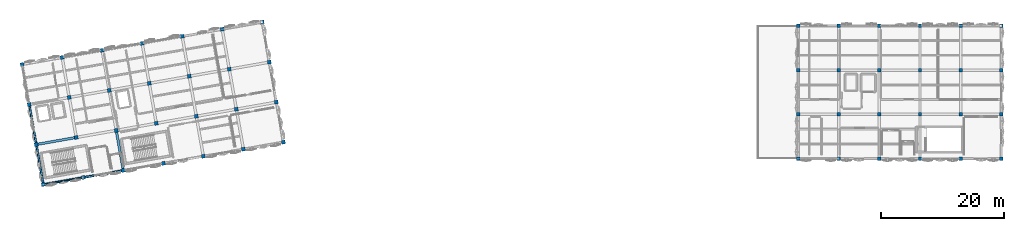
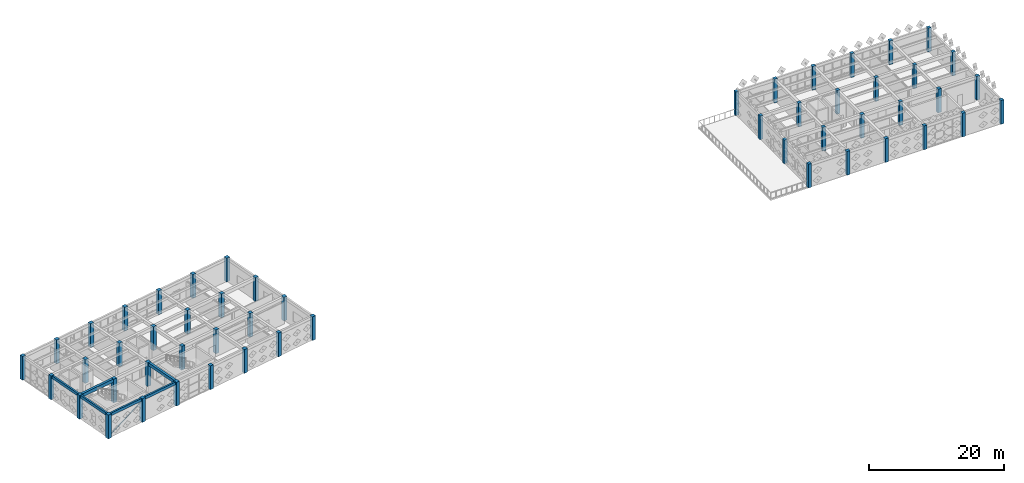
# One storey, part 1 of 29: 52 columns, 6 beams, 1 member.
"""IFC4 building model written with IfcOpenShell, lengths in metres."""

from ifc_helpers import new_model, si_unit, direction, frame, origin, origin_2d, place, context, subcontext, project, spatial, rectangle, hollow_rectangle, extrude, material, material_profile, profile_set, type_object, element, save


model = new_model("IFC4")

# Units and contexts
model_context = context("Model", 3, precision=1e-05, world=origin(), true_north=direction((0.0, 1.0)))
body_context = subcontext(model_context, "Body", "Model", "MODEL_VIEW")
ifc_project = project(units=[si_unit("LENGTHUNIT", "METRE"), si_unit("AREAUNIT", "SQUARE_METRE"), si_unit("VOLUMEUNIT", "CUBIC_METRE"), si_unit("PLANEANGLEUNIT", "RADIAN"), si_unit("MASSUNIT", "GRAM", prefix="KILO")], contexts=[model_context])

# Site, building, storey
site_placement = place(None, origin())
site = spatial("IfcSite", under=ifc_project, at=site_placement, CompositionType="ELEMENT")
building_placement = place(site_placement, origin())
building = spatial("IfcBuilding", under=site, at=building_placement, Name="Kharisveld Research Institute", CompositionType="ELEMENT")
storey_placement = place(building_placement, frame((0.0, 0.0, 32.10009765625)))
storey = spatial("IfcBuildingStorey", under=building, at=storey_placement, Name="L07", CompositionType="ELEMENT", Elevation=32.10009765625)

# Columns
ifc_material_1 = material(Name="Concrete C40/50", Category="concrete")
ifc_material_profile_1 = material_profile(ifc_material_1, rectangle(XDim=0.550048828125, YDim=0.550048828125, at=origin_2d()))
ifc_profile_set_1 = profile_set([ifc_material_profile_1], Name="Concrete C40/50")
column_type_1 = type_object("IfcColumnType", Name="COL_RC_550", PredefinedType="COLUMN", material=ifc_profile_set_1)
for number, where, z_axis, x_axis, name in (
    (1, (127.800048828125, 39.199951171875, 0.0), (0.0, 0.0, 1.0), (1.0, 0.0, 0.0), "COL:V2:L07:U2V0"),
    (2, (127.800048828125, 46.39990234375, 0.0), (0.0, 0.0, 1.0), (1.0, 0.0, 0.0), "COL:V2:L07:U2V1"),
    (3, (127.800048828125, 53.60009765625, 0.0), (0.0, 0.0, 1.0), (1.0, 0.0, 0.0), "COL:V2:L07:U2V2"),
    (4, (127.800048828125, 60.800048828125, 0.0), (0.0, 0.0, 1.0), (1.0, 0.0, 0.0), "COL:V2:L07:U2V3"),
    (5, (134.39990234375, 39.199951171875, 0.0), (0.0, 0.0, 1.0), (1.0, 0.0, 0.0), "COL:V2:L07:U3V0"),
    (6, (134.39990234375, 46.39990234375, 0.0), (0.0, 0.0, 1.0), (1.0, 0.0, 0.0), "COL:V2:L07:U3V1"),
    (7, (134.39990234375, 53.60009765625, 0.0), (0.0, 0.0, 1.0), (1.0, 0.0, 0.0), "COL:V2:L07:U3V2"),
    (8, (134.39990234375, 60.800048828125, 0.0), (0.0, 0.0, 1.0), (1.0, 0.0, 0.0), "COL:V2:L07:U3V3"),
    (9, (141.0, 39.199951171875, 0.0), (0.0, 0.0, 1.0), (1.0, 0.0, 0.0), "COL:V2:L07:U4V0"),
    (10, (141.0, 46.39990234375, 0.0), (0.0, 0.0, 1.0), (1.0, 0.0, 0.0), "COL:V2:L07:U4V1"),
    (11, (141.0, 53.60009765625, 0.0), (0.0, 0.0, 1.0), (1.0, 0.0, 0.0), "COL:V2:L07:U4V2"),
    (12, (141.0, 60.800048828125, 0.0), (0.0, 0.0, 1.0), (1.0, 0.0, 0.0), "COL:V2:L07:U4V3"),
    (13, (147.60009765625, 39.199951171875, 0.0), (0.0, 0.0, 1.0), (1.0, 0.0, 0.0), "COL:V2:L07:U5V0"),
    (14, (147.60009765625, 46.39990234375, 0.0), (0.0, 0.0, 1.0), (1.0, 0.0, 0.0), "COL:V2:L07:U5V1"),
    (15, (147.60009765625, 53.60009765625, 0.0), (0.0, 0.0, 1.0), (1.0, 0.0, 0.0), "COL:V2:L07:U5V2"),
    (16, (147.60009765625, 60.800048828125, 0.0), (0.0, 0.0, 1.0), (1.0, 0.0, 0.0), "COL:V2:L07:U5V3"),
    (17, (154.199951171875, 39.199951171875, 0.0), (0.0, 0.0, 1.0), (1.0, 0.0, 0.0), "COL:V2:L07:U6V0"),
    (18, (154.199951171875, 46.39990234375, 0.0), (0.0, 0.0, 1.0), (1.0, 0.0, 0.0), "COL:V2:L07:U6V1"),
    (19, (154.199951171875, 53.60009765625, 0.0), (0.0, 0.0, 1.0), (1.0, 0.0, 0.0), "COL:V2:L07:U6V2"),
    (20, (154.199951171875, 60.800048828125, 0.0), (0.0, 0.0, 1.0), (1.0, 0.0, 0.0), "COL:V2:L07:U6V3"),
    (21, (160.800048828125, 39.199951171875, 0.0), (0.0, 0.0, 1.0), (1.0, 0.0, 0.0), "COL:V2:L07:U7V0"),
    (22, (160.800048828125, 46.39990234375, 0.0), (0.0, 0.0, 1.0), (1.0, 0.0, 0.0), "COL:V2:L07:U7V1"),
    (23, (160.800048828125, 53.60009765625, 0.0), (0.0, 0.0, 1.0), (1.0, 0.0, 0.0), "COL:V2:L07:U7V2"),
    (24, (160.800048828125, 60.800048828125, 0.0), (0.0, 0.0, 1.0), (1.0, 0.0, 0.0), "COL:V2:L07:U7V3"),
):
    element("IfcColumn", number, at=place(storey_placement, frame(where, z_axis=z_axis, x_axis=x_axis)), inside=storey, type_object=column_type_1, Name=name, PredefinedType="COLUMN", context=body_context, shape_type="SweptSolid", body=[
        extrude(rectangle(XDim=0.550048828125, YDim=0.550048828125, at=origin_2d()), origin(), (0.0, 0.0, 1.0), 4.304931640625),
    ])
ifc_material_2 = material(Name="Concrete C40/50", Category="concrete")
ifc_material_profile_2 = material_profile(ifc_material_2, rectangle(XDim=0.60009765625, YDim=0.60009765625, at=origin_2d()))
ifc_profile_set_2 = profile_set([ifc_material_profile_2], Name="Concrete C40/50")
column_type_2 = type_object("IfcColumnType", Name="COL_RC_600", PredefinedType="COLUMN", material=ifc_profile_set_2)
for number, where, z_axis, x_axis, name in (
    (25, (5.199951171875, 35.010009765625, 0.0), (0.0, 0.0, 1.0), (0.984807753012, 0.173648177667, 0.0), "COL:V1:L07:U0V0"),
    (26, (4.053955078125, 41.509765625, 0.0), (0.0, 0.0, 1.0), (0.984807753012, 0.173648177667, 0.0), "COL:V1:L07:U0V1"),
    (27, (2.907958984375, 48.009521484375, 0.0), (0.0, 0.0, 1.0), (0.984807753012, 0.173648177667, 0.0), "COL:V1:L07:U0V2"),
    (28, (1.76171875, 54.50927734375, 0.0), (0.0, 0.0, 1.0), (0.984807753012, 0.173648177667, 0.0), "COL:V1:L07:U0V3"),
    (29, (11.69970703125, 36.156005859375, 0.0), (0.0, 0.0, 1.0), (0.984807753012, 0.173648177667, 0.0), "COL:V1:L07:U1V0"),
    (30, (10.5537109375, 42.65576171875, 0.0), (0.0, 0.0, 1.0), (0.984807753012, 0.173648177667, 0.0), "COL:V1:L07:U1V1"),
    (31, (9.407470703125, 49.155517578125, 0.0), (0.0, 0.0, 1.0), (0.984807753012, 0.173648177667, 0.0), "COL:V1:L07:U1V2"),
    (32, (8.261474609375, 55.6552734375, 0.0), (0.0, 0.0, 1.0), (0.984807753012, 0.173648177667, 0.0), "COL:V1:L07:U1V3"),
    (33, (18.199462890625, 37.30224609375, 0.0), (0.0, 0.0, 1.0), (0.984807753012, 0.173648177667, 0.0), "COL:V1:L07:U2V0"),
    (34, (17.053466796875, 43.802001953125, 0.0), (0.0, 0.0, 1.0), (0.984807753012, 0.173648177667, 0.0), "COL:V1:L07:U2V1"),
    (35, (15.9072265625, 50.301513671875, 0.0), (0.0, 0.0, 1.0), (0.984807753012, 0.173648177667, 0.0), "COL:V1:L07:U2V2"),
    (36, (14.76123046875, 56.80126953125, 0.0), (0.0, 0.0, 1.0), (0.984807753012, 0.173648177667, 0.0), "COL:V1:L07:U2V3"),
    (37, (24.69921875, 38.4482421875, 0.0), (0.0, 0.0, 1.0), (0.984807753012, 0.173648177667, 0.0), "COL:V1:L07:U3V0"),
    (38, (23.55322265625, 44.947998046875, 0.0), (0.0, 0.0, 1.0), (0.984807753012, 0.173648177667, 0.0), "COL:V1:L07:U3V1"),
    (39, (22.406982421875, 51.44775390625, 0.0), (0.0, 0.0, 1.0), (0.984807753012, 0.173648177667, 0.0), "COL:V1:L07:U3V2"),
    (40, (21.260986328125, 57.947509765625, 0.0), (0.0, 0.0, 1.0), (0.984807753012, 0.173648177667, 0.0), "COL:V1:L07:U3V3"),
    (41, (31.198974609375, 39.59423828125, 0.0), (0.0, 0.0, 1.0), (0.984807753012, 0.173648177667, 0.0), "COL:V1:L07:U4V0"),
    (42, (30.052734375, 46.093994140625, 0.0), (0.0, 0.0, 1.0), (0.984807753012, 0.173648177667, 0.0), "COL:V1:L07:U4V1"),
    (43, (28.90673828125, 52.59375, 0.0), (0.0, 0.0, 1.0), (0.984807753012, 0.173648177667, 0.0), "COL:V1:L07:U4V2"),
    (44, (27.7607421875, 59.093505859375, 0.0), (0.0, 0.0, 1.0), (0.984807753012, 0.173648177667, 0.0), "COL:V1:L07:U4V3"),
    (45, (37.69873046875, 40.740478515625, 0.0), (0.0, 0.0, 1.0), (0.984807753012, 0.173648177667, 0.0), "COL:V1:L07:U5V0"),
    (46, (36.552490234375, 47.240234375, 0.0), (0.0, 0.0, 1.0), (0.984807753012, 0.173648177667, 0.0), "COL:V1:L07:U5V1"),
    (47, (35.406494140625, 53.73974609375, 0.0), (0.0, 0.0, 1.0), (0.984807753012, 0.173648177667, 0.0), "COL:V1:L07:U5V2"),
    (48, (34.260498046875, 60.239501953125, 0.0), (0.0, 0.0, 1.0), (0.984807753012, 0.173648177667, 0.0), "COL:V1:L07:U5V3"),
    (49, (44.198486328125, 41.886474609375, 0.0), (0.0, 0.0, 1.0), (0.984807753012, 0.173648177667, 0.0), "COL:V1:L07:U6V0"),
    (50, (43.05224609375, 48.38623046875, 0.0), (0.0, 0.0, 1.0), (0.984807753012, 0.173648177667, 0.0), "COL:V1:L07:U6V1"),
    (51, (41.90625, 54.885986328125, 0.0), (0.0, 0.0, 1.0), (0.984807753012, 0.173648177667, 0.0), "COL:V1:L07:U6V2"),
    (52, (40.76025390625, 61.3857421875, 0.0), (0.0, 0.0, 1.0), (0.984807753012, 0.173648177667, 0.0), "COL:V1:L07:U6V3"),
):
    element("IfcColumn", number, at=place(storey_placement, frame(where, z_axis=z_axis, x_axis=x_axis)), inside=storey, type_object=column_type_2, Name=name, PredefinedType="COLUMN", context=body_context, shape_type="SweptSolid", body=[
        extrude(rectangle(XDim=0.60009765625, YDim=0.60009765625, at=origin_2d()), origin(), (0.0, 0.0, 1.0), 4.309814453125),
    ])

# Beams
ifc_material_3 = material(Name="Concrete C40/50", Category="concrete")
ifc_material_profile_3 = material_profile(ifc_material_3, rectangle(XDim=0.39990234375, YDim=0.550048828125, at=origin_2d()))
ifc_profile_set_3 = profile_set([ifc_material_profile_3], Name="Concrete C40/50")
beam_type_1 = type_object("IfcBeamType", Name="BM_RC_400x550", PredefinedType="BEAM", material=ifc_profile_set_3)
beam_1_placement = place(storey_placement, frame((18.1474609375, 37.59765625, 4.034912109375), z_axis=(-0.173669267716, 0.984804034035, 0.0), x_axis=(-0.984804034035, -0.173669267716, 0.0)))
element("IfcBeam", 53, at=beam_1_placement, inside=storey, type_object=beam_type_1, Name="BM:V1:L07:V2_0", PredefinedType="BEAM", context=body_context, shape_type="SweptSolid", body=[
    extrude(rectangle(XDim=0.39990234375, YDim=0.550048828125, at=origin_2d()), origin(), (0.0, 0.0, 1.0), 5.999755859375),
])
ifc_material_4 = material(Name="Concrete C40/50", Category="concrete")
ifc_material_profile_4 = material_profile(ifc_material_4, rectangle(XDim=0.39990234375, YDim=0.60009765625, at=origin_2d()))
ifc_profile_set_4 = profile_set([ifc_material_profile_4], Name="Concrete C40/50")
beam_type_2 = type_object("IfcBeamType", Name="BM_RC_400x600", PredefinedType="BEAM", material=ifc_profile_set_4)
beam_2_placement = place(storey_placement, frame((4.349365234375, 41.561767578125, 4.010009765625), z_axis=(0.984805261243, 0.173662308598, 0.0), x_axis=(-0.173662308598, 0.984805261243, 0.0)))
element("IfcBeam", 54, at=beam_2_placement, inside=storey, type_object=beam_type_2, Name="BM:V1:L07:U0_1", PredefinedType="BEAM", context=body_context, shape_type="SweptSolid", body=[
    extrude(rectangle(XDim=0.39990234375, YDim=0.60009765625, at=origin_2d()), origin(), (0.0, 0.0, 1.0), 6.0),
])

# Member
ifc_material_5 = material(Name="Steel S355J2H", Category="steel")
ifc_material_profile_5 = material_profile(ifc_material_5, hollow_rectangle(XDim=0.1201171875, YDim=0.1201171875, WallThickness=0.00634765625, at=origin_2d()))
ifc_profile_set_5 = profile_set([ifc_material_profile_5], Name="Steel S355J2H")
member_type = type_object("IfcMemberType", Name="BR_SHS120", PredefinedType="BRACE", material=ifc_profile_set_5)
member_placement = place(storey_placement, frame((5.298583984375, 35.02734375, 0.199951171875), z_axis=(0.860618785546, 0.151748400674, 0.486114933794), x_axis=(-0.173646056486, 0.984808127031, 0.0)))
element("IfcMember", 55, at=member_placement, inside=storey, type_object=member_type, Name="MEM:V1:L07:BR_0_0", PredefinedType="BRACE", context=body_context, shape_type="SweptSolid", body=[
    extrude(hollow_rectangle(XDim=0.1201171875, YDim=0.1201171875, WallThickness=0.00634765625, at=origin_2d()), origin(), (0.0, 0.0, 1.0), 7.323486328125),
])

# Beams
ifc_material_6 = material(Name="Concrete C40/50", Category="concrete")
ifc_material_profile_6 = material_profile(ifc_material_6, rectangle(XDim=0.300048828125, YDim=0.5, at=origin_2d()))
ifc_profile_set_6 = profile_set([ifc_material_profile_6], Name="Concrete C40/50")
beam_type_3 = type_object("IfcBeamType", Name="SP_RC_300x500", PredefinedType="SPANDREL", material=ifc_profile_set_6)
for number, where, z_axis, x_axis, name in (
    (56, (5.495361328125, 35.06201171875, 4.059814453125), (0.984805261243, 0.173662308598, 0.0), (-0.173662308598, 0.984805261243, 0.0), "BM:V1:L07:U0_0"),
    (57, (11.9951171875, 36.208251953125, 4.059814453125), (0.984812219346, 0.173622845926, 0.0), (-0.173622845926, 0.984812219346, 0.0), "BM:V1:L07:U1_0"),
    (58, (5.14794921875, 35.305419921875, 4.059814453125), (-0.173662308598, 0.984805261243, 0.0), (-0.984805261243, -0.173662308598, 0.0), "BM:V1:L07:V0_0"),
    (59, (4.001708984375, 41.80517578125, 4.059814453125), (-0.173622845926, 0.984812219346, 0.0), (-0.984812219346, -0.173622845926, 0.0), "BM:V1:L07:V0_1"),
):
    element("IfcBeam", number, at=place(storey_placement, frame(where, z_axis=z_axis, x_axis=x_axis)), inside=storey, type_object=beam_type_3, Name=name, PredefinedType="SPANDREL", context=body_context, shape_type="SweptSolid", body=[
        extrude(rectangle(XDim=0.300048828125, YDim=0.5, at=origin_2d()), origin(), (0.0, 0.0, 1.0), 6.0),
    ])

save(model, "model.ifc")
